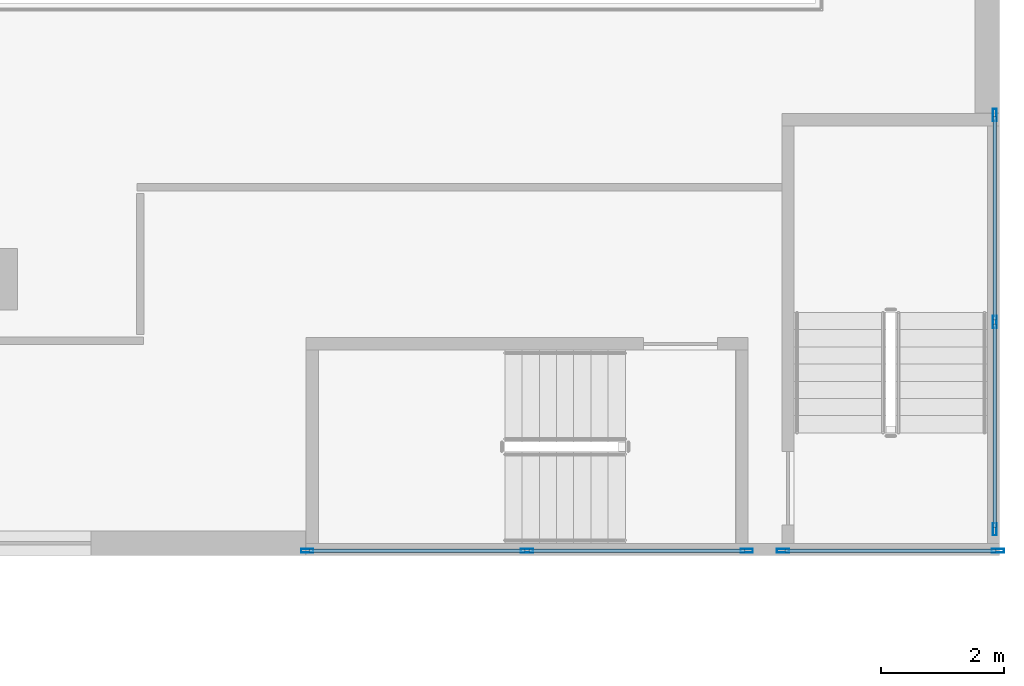
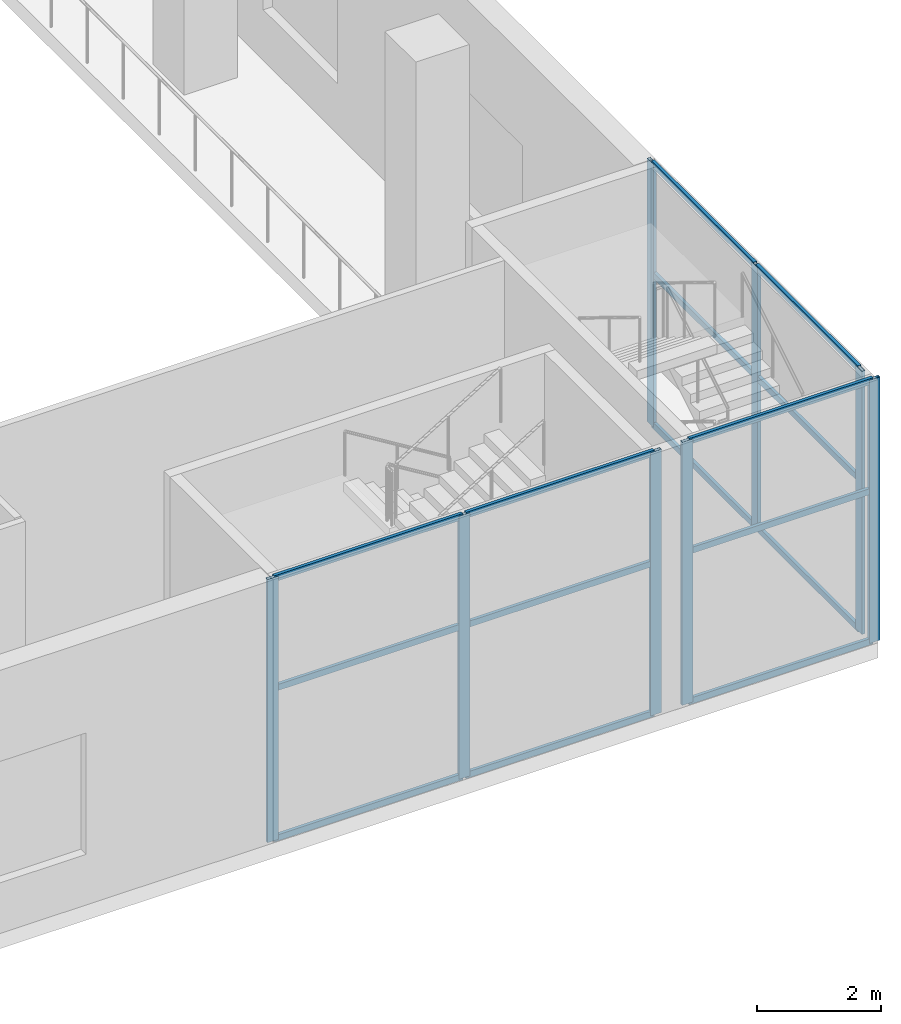
# One storey, part 6 of 23: 23 members, 3 elements without a shape of their own.
"""IFC4 building model written with IfcOpenShell, lengths in metres."""

from ifc_helpers import new_model, si_unit, direction, frame, origin, origin_2d, place, context, subcontext, project, spatial, hollow_rectangle, extrude, source, transform, mapped, material, material_profile, profile_set, type_object, element, aggregate, save


model = new_model("IFC4")

# Units and contexts
model_context = context("Model", 3, precision=1e-05, world=origin(), true_north=direction((0.0, 1.0)))
body_context = subcontext(model_context, "Body", "Model", "MODEL_VIEW")
ifc_project = project(units=[si_unit("LENGTHUNIT", "METRE"), si_unit("AREAUNIT", "SQUARE_METRE"), si_unit("VOLUMEUNIT", "CUBIC_METRE"), si_unit("PLANEANGLEUNIT", "RADIAN"), si_unit("MASSUNIT", "GRAM", prefix="KILO")], contexts=[model_context])

# Site, building, storey
site_placement = place(None, origin())
site = spatial("IfcSite", under=ifc_project, at=site_placement, CompositionType="ELEMENT")
building_placement = place(site_placement, origin())
building = spatial("IfcBuilding", under=site, at=building_placement, Name="Khomas Fold Tower", CompositionType="ELEMENT")
storey_placement = place(building_placement, frame((0.0, 0.0, 13.0)))
storey = spatial("IfcBuildingStorey", under=building, at=storey_placement, Name="L02", CompositionType="ELEMENT", Elevation=13.0)

# Curtain wall, members
ifc_material_1 = material(Name="Aluminium framed double glazing", Category="aluminium")
curtain_wall_type = type_object("IfcCurtainWallType", Name="Shopfront glazing PD-CW", PredefinedType="NOTDEFINED", material=ifc_material_1)
curtain_wall_1_placement = place(storey_placement, origin())
curtain_wall_1 = element("IfcCurtainWall", 1, at=curtain_wall_1_placement, inside=storey, type_object=curtain_wall_type, Name="Podium stair-tower glazing", PredefinedType="NOTDEFINED")
ifc_material_2 = material(Name="Aluminium", Category="aluminium")
ifc_material_profile_1 = material_profile(ifc_material_2, hollow_rectangle(XDim=0.06005859375, YDim=0.199951171875, WallThickness=0.00390625, at=origin_2d()), Name="Shopfront glazing mullion PD-CW-M")
ifc_profile_set_1 = profile_set([ifc_material_profile_1], Name="Aluminium")
member_type_1 = type_object("IfcMemberType", Name="Shopfront glazing mullion PD-CW-M", PredefinedType="MULLION", material=ifc_profile_set_1)
shared_shape_1 = source(origin(), body_context, "Body", "SweptSolid", [
    extrude(hollow_rectangle(XDim=0.06005859375, YDim=0.199951171875, WallThickness=0.00390625, at=origin_2d()), origin(), (0.0, 0.0, 1.0), 5.199951171875),
])
member_1_placement = place(storey_placement, frame((69.719970703125, 0.080078125, 0.0), z_axis=(0.0, 0.0, 1.0), x_axis=(0.0, 1.0, 0.0)))
member_1 = element("IfcMember", 2, at=member_1_placement, type_object=member_type_1, Name="PD-CW mullion 1", PredefinedType="MULLION", context=body_context, shape_type="MappedRepresentation", body=[
    mapped(shared_shape_1, transform((0.0, 0.0, 0.0))),
])
member_2_placement = place(storey_placement, frame((73.300048828125, 0.080078125, 0.0), z_axis=(0.0, 0.0, 1.0), x_axis=(0.0, 1.0, 0.0)))
member_2 = element("IfcMember", 3, at=member_2_placement, type_object=member_type_1, Name="PD-CW mullion 2", PredefinedType="MULLION", context=body_context, shape_type="MappedRepresentation", body=[
    mapped(shared_shape_1, transform((0.0, 0.0, 0.0))),
])
member_3_placement = place(storey_placement, frame((76.8798828125, 0.080078125, 0.0), z_axis=(0.0, 0.0, 1.0), x_axis=(0.0, 1.0, 0.0)))
member_3 = element("IfcMember", 4, at=member_3_placement, type_object=member_type_1, Name="PD-CW mullion 3", PredefinedType="MULLION", context=body_context, shape_type="MappedRepresentation", body=[
    mapped(shared_shape_1, transform((0.0, 0.0, 0.0))),
])

curtain_wall_2_placement = place(storey_placement, origin())
curtain_wall_2 = element("IfcCurtainWall", 5, at=curtain_wall_2_placement, inside=storey, type_object=curtain_wall_type, Name="Podium stair-tower glazing", PredefinedType="NOTDEFINED")
member_4_placement = place(storey_placement, frame((77.469970703125, 0.080078125, 0.0), z_axis=(0.0, 0.0, 1.0), x_axis=(0.0, 1.0, 0.0)))
member_4 = element("IfcMember", 6, at=member_4_placement, type_object=member_type_1, Name="PD-CW mullion 1", PredefinedType="MULLION", context=body_context, shape_type="MappedRepresentation", body=[
    mapped(shared_shape_1, transform((0.0, 0.0, 0.0))),
])
member_5_placement = place(storey_placement, frame((80.969970703125, 0.080078125, 0.0), z_axis=(0.0, 0.0, 1.0), x_axis=(0.0, 1.0, 0.0)))
member_5 = element("IfcMember", 7, at=member_5_placement, type_object=member_type_1, Name="PD-CW mullion 2", PredefinedType="MULLION", context=body_context, shape_type="MappedRepresentation", body=[
    mapped(shared_shape_1, transform((0.0, 0.0, 0.0))),
])

curtain_wall_3_placement = place(storey_placement, origin())
curtain_wall_3 = element("IfcCurtainWall", 8, at=curtain_wall_3_placement, inside=storey, type_object=curtain_wall_type, Name="Podium stair-tower glazing", PredefinedType="NOTDEFINED")
member_6_placement = place(storey_placement, frame((80.919921875, 0.429931640625, 0.0), z_axis=(0.0, 0.0, 1.0), x_axis=(-1.0, 0.0, 0.0)))
member_6 = element("IfcMember", 9, at=member_6_placement, type_object=member_type_1, Name="PD-CW mullion 1", PredefinedType="MULLION", context=body_context, shape_type="MappedRepresentation", body=[
    mapped(shared_shape_1, transform((0.0, 0.0, 0.0))),
])
member_7_placement = place(storey_placement, frame((80.919921875, 3.804931640625, 0.0), z_axis=(0.0, 0.0, 1.0), x_axis=(-1.0, 0.0, 0.0)))
member_7 = element("IfcMember", 10, at=member_7_placement, type_object=member_type_1, Name="PD-CW mullion 2", PredefinedType="MULLION", context=body_context, shape_type="MappedRepresentation", body=[
    mapped(shared_shape_1, transform((0.0, 0.0, 0.0))),
])
member_8_placement = place(storey_placement, frame((80.919921875, 7.179931640625, 0.0), z_axis=(0.0, 0.0, 1.0), x_axis=(-1.0, 0.0, 0.0)))
member_8 = element("IfcMember", 11, at=member_8_placement, type_object=member_type_1, Name="PD-CW mullion 3", PredefinedType="MULLION", context=body_context, shape_type="MappedRepresentation", body=[
    mapped(shared_shape_1, transform((0.0, 0.0, 0.0))),
])

# Member
ifc_material_3 = material(Name="Aluminium", Category="aluminium")
ifc_material_profile_2 = material_profile(ifc_material_3, hollow_rectangle(XDim=0.06005859375, YDim=0.1201171875, WallThickness=0.00390625, at=origin_2d()), Name="Shopfront glazing transom PD-CW-T")
ifc_profile_set_2 = profile_set([ifc_material_profile_2], Name="Aluminium")
member_type_2 = type_object("IfcMemberType", Name="Shopfront glazing transom PD-CW-T", PredefinedType="USERDEFINED", material=ifc_profile_set_2)
shared_shape_2 = source(origin(), body_context, "Body", "SweptSolid", [
    extrude(hollow_rectangle(XDim=0.06005859375, YDim=0.1201171875, WallThickness=0.00390625, at=origin_2d()), origin(), (0.0, 0.0, 1.0), 3.52001953125),
])
member_9_placement = place(storey_placement, frame((69.75, 0.080078125, 0.030029296875), z_axis=(1.0, 0.0, 0.0), x_axis=(0.0, 1.0, 0.0)))
member_9 = element("IfcMember", 12, at=member_9_placement, type_object=member_type_2, Name="PD-CW transom 1.1", ObjectType="TRANSOM", PredefinedType="USERDEFINED", context=body_context, shape_type="MappedRepresentation", body=[
    mapped(shared_shape_2, transform((0.0, 0.0, 0.0))),
])

member_10_placement = place(storey_placement, frame((69.75, 0.080078125, 3.0), z_axis=(1.0, 0.0, 0.0), x_axis=(0.0, 1.0, 0.0)))
member_10 = element("IfcMember", 13, at=member_10_placement, type_object=member_type_2, Name="PD-CW transom 1.2", ObjectType="TRANSOM", PredefinedType="USERDEFINED", context=body_context, shape_type="MappedRepresentation", body=[
    mapped(shared_shape_2, transform((0.0, 0.0, 0.0))),
])

member_11_placement = place(storey_placement, frame((69.75, 0.080078125, 5.169921875), z_axis=(1.0, 0.0, 0.0), x_axis=(0.0, 1.0, 0.0)))
member_11 = element("IfcMember", 14, at=member_11_placement, type_object=member_type_2, Name="PD-CW transom 1.3", ObjectType="TRANSOM", PredefinedType="USERDEFINED", context=body_context, shape_type="MappedRepresentation", body=[
    mapped(shared_shape_2, transform((0.0, 0.0, 0.0))),
])

member_12_placement = place(storey_placement, frame((73.330078125, 0.080078125, 0.030029296875), z_axis=(1.0, 0.0, 0.0), x_axis=(0.0, 1.0, 0.0)))
member_12 = element("IfcMember", 15, at=member_12_placement, type_object=member_type_2, Name="PD-CW transom 2.1", ObjectType="TRANSOM", PredefinedType="USERDEFINED", context=body_context, shape_type="MappedRepresentation", body=[
    mapped(shared_shape_2, transform((0.0, 0.0, 0.0))),
])

member_13_placement = place(storey_placement, frame((73.330078125, 0.080078125, 3.0), z_axis=(1.0, 0.0, 0.0), x_axis=(0.0, 1.0, 0.0)))
member_13 = element("IfcMember", 16, at=member_13_placement, type_object=member_type_2, Name="PD-CW transom 2.2", ObjectType="TRANSOM", PredefinedType="USERDEFINED", context=body_context, shape_type="MappedRepresentation", body=[
    mapped(shared_shape_2, transform((0.0, 0.0, 0.0))),
])

member_14_placement = place(storey_placement, frame((73.330078125, 0.080078125, 5.169921875), z_axis=(1.0, 0.0, 0.0), x_axis=(0.0, 1.0, 0.0)))
member_14 = element("IfcMember", 17, at=member_14_placement, type_object=member_type_2, Name="PD-CW transom 2.3", ObjectType="TRANSOM", PredefinedType="USERDEFINED", context=body_context, shape_type="MappedRepresentation", body=[
    mapped(shared_shape_2, transform((0.0, 0.0, 0.0))),
])

aggregate(curtain_wall_1, [member_1, member_2, member_3, member_9, member_10, member_11, member_12, member_13, member_14])

shared_shape_3 = source(origin(), body_context, "Body", "SweptSolid", [
    extrude(hollow_rectangle(XDim=0.06005859375, YDim=0.1201171875, WallThickness=0.00390625, at=origin_2d()), origin(), (0.0, 0.0, 1.0), 3.43994140625),
])
member_15_placement = place(storey_placement, frame((77.5, 0.080078125, 0.030029296875), z_axis=(1.0, 0.0, 0.0), x_axis=(0.0, 1.0, 0.0)))
member_15 = element("IfcMember", 18, at=member_15_placement, type_object=member_type_2, Name="PD-CW transom 1.1", ObjectType="TRANSOM", PredefinedType="USERDEFINED", context=body_context, shape_type="MappedRepresentation", body=[
    mapped(shared_shape_3, transform((0.0, 0.0, 0.0))),
])

member_16_placement = place(storey_placement, frame((77.5, 0.080078125, 3.0), z_axis=(1.0, 0.0, 0.0), x_axis=(0.0, 1.0, 0.0)))
member_16 = element("IfcMember", 19, at=member_16_placement, type_object=member_type_2, Name="PD-CW transom 1.2", ObjectType="TRANSOM", PredefinedType="USERDEFINED", context=body_context, shape_type="MappedRepresentation", body=[
    mapped(shared_shape_3, transform((0.0, 0.0, 0.0))),
])

member_17_placement = place(storey_placement, frame((77.5, 0.080078125, 5.169921875), z_axis=(1.0, 0.0, 0.0), x_axis=(0.0, 1.0, 0.0)))
member_17 = element("IfcMember", 20, at=member_17_placement, type_object=member_type_2, Name="PD-CW transom 1.3", ObjectType="TRANSOM", PredefinedType="USERDEFINED", context=body_context, shape_type="MappedRepresentation", body=[
    mapped(shared_shape_3, transform((0.0, 0.0, 0.0))),
])

aggregate(curtain_wall_2, [member_4, member_5, member_15, member_16, member_17])

shared_shape_4 = source(origin(), body_context, "Body", "SweptSolid", [
    extrude(hollow_rectangle(XDim=0.06005859375, YDim=0.1201171875, WallThickness=0.00390625, at=origin_2d()), origin(), (0.0, 0.0, 1.0), 3.31494140625),
])
member_18_placement = place(storey_placement, frame((80.919921875, 0.4599609375, 0.030029296875), z_axis=(0.0, 1.0, 0.0), x_axis=(-1.0, 0.0, 0.0)))
member_18 = element("IfcMember", 21, at=member_18_placement, type_object=member_type_2, Name="PD-CW transom 1.1", ObjectType="TRANSOM", PredefinedType="USERDEFINED", context=body_context, shape_type="MappedRepresentation", body=[
    mapped(shared_shape_4, transform((0.0, 0.0, 0.0))),
])

member_19_placement = place(storey_placement, frame((80.919921875, 0.4599609375, 3.0), z_axis=(0.0, 1.0, 0.0), x_axis=(-1.0, 0.0, 0.0)))
member_19 = element("IfcMember", 22, at=member_19_placement, type_object=member_type_2, Name="PD-CW transom 1.2", ObjectType="TRANSOM", PredefinedType="USERDEFINED", context=body_context, shape_type="MappedRepresentation", body=[
    mapped(shared_shape_4, transform((0.0, 0.0, 0.0))),
])

member_20_placement = place(storey_placement, frame((80.919921875, 0.4599609375, 5.169921875), z_axis=(0.0, 1.0, 0.0), x_axis=(-1.0, 0.0, 0.0)))
member_20 = element("IfcMember", 23, at=member_20_placement, type_object=member_type_2, Name="PD-CW transom 1.3", ObjectType="TRANSOM", PredefinedType="USERDEFINED", context=body_context, shape_type="MappedRepresentation", body=[
    mapped(shared_shape_4, transform((0.0, 0.0, 0.0))),
])

member_21_placement = place(storey_placement, frame((80.919921875, 3.8349609375, 0.030029296875), z_axis=(0.0, 1.0, 0.0), x_axis=(-1.0, 0.0, 0.0)))
member_21 = element("IfcMember", 24, at=member_21_placement, type_object=member_type_2, Name="PD-CW transom 2.1", ObjectType="TRANSOM", PredefinedType="USERDEFINED", context=body_context, shape_type="MappedRepresentation", body=[
    mapped(shared_shape_4, transform((0.0, 0.0, 0.0))),
])

member_22_placement = place(storey_placement, frame((80.919921875, 3.8349609375, 3.0), z_axis=(0.0, 1.0, 0.0), x_axis=(-1.0, 0.0, 0.0)))
member_22 = element("IfcMember", 25, at=member_22_placement, type_object=member_type_2, Name="PD-CW transom 2.2", ObjectType="TRANSOM", PredefinedType="USERDEFINED", context=body_context, shape_type="MappedRepresentation", body=[
    mapped(shared_shape_4, transform((0.0, 0.0, 0.0))),
])

member_23_placement = place(storey_placement, frame((80.919921875, 3.8349609375, 5.169921875), z_axis=(0.0, 1.0, 0.0), x_axis=(-1.0, 0.0, 0.0)))
member_23 = element("IfcMember", 26, at=member_23_placement, type_object=member_type_2, Name="PD-CW transom 2.3", ObjectType="TRANSOM", PredefinedType="USERDEFINED", context=body_context, shape_type="MappedRepresentation", body=[
    mapped(shared_shape_4, transform((0.0, 0.0, 0.0))),
])

aggregate(curtain_wall_3, [member_6, member_7, member_8, member_18, member_19, member_20, member_21, member_22, member_23])

save(model, "model.ifc")
